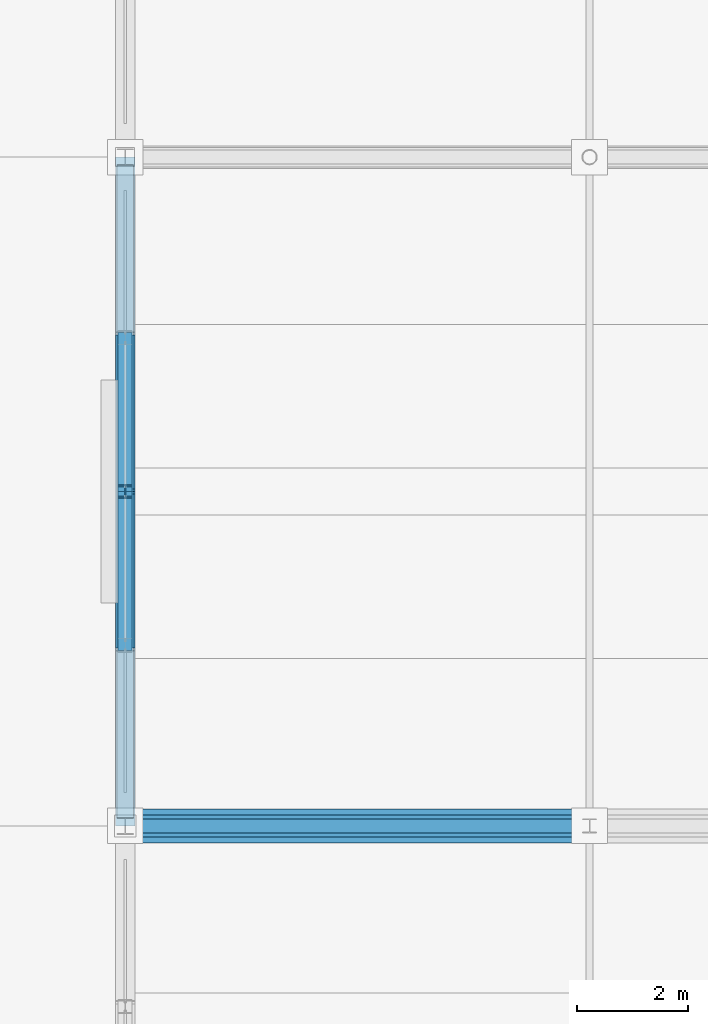
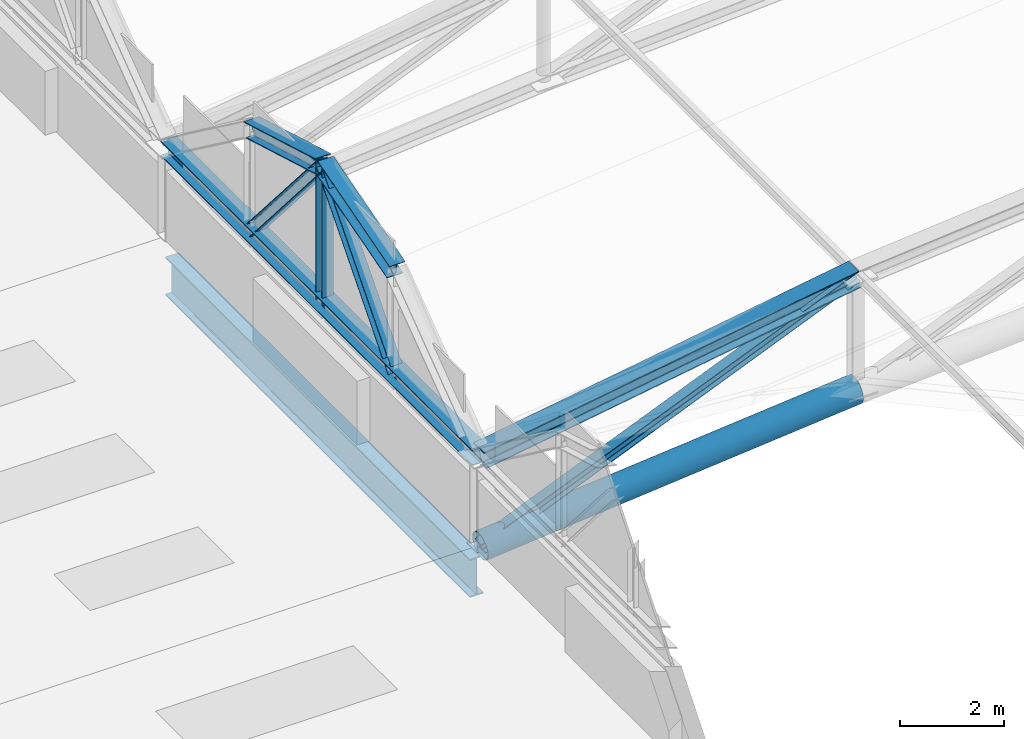
# One storey, part 29 of 117: 9 members, 1 beam.
"""IFC4 building model written with IfcOpenShell, lengths in metres."""

import ifcopenshell
import ifcopenshell.guid

model = None  # the IFC model being written
_history = None  # IfcOwnerHistory: only IFC2X3 demands one
_inside = {}  # id of a spatial element -> (the spatial element, [elements in it])
_under = {}  # id of a project, library or spatial element -> (it, [spatial elements below it])
_declared = {}  # id of a project -> (the project, [libraries it declares])
_typed = {}  # id of a type object -> (the type object, [elements of that type])
_made_of = {}  # id of a material, layer set ... -> (it, [elements and type objects made of it])


def new_model(schema):
    """Start an empty IFC model of exactly this schema.

    Asked for "IFC4X3", IfcOpenShell would pick the latest addendum, in which some entities
    have other attributes; the version numbers below select the first issue.
    IFC2X3 requires an IfcOwnerHistory on every rooted entity: one is made here for all.
    """
    global model, _history
    if schema == "IFC4X3":
        model = ifcopenshell.file(schema_version=(4, 3, 0, 0))
    else:
        model = ifcopenshell.file(schema=schema)
    _inside.clear()
    _under.clear()
    _declared.clear()
    _typed.clear()
    _made_of.clear()
    _history = None
    if model.schema == "IFC2X3":
        org = make("IfcOrganization", Name="unknown")
        user = make(
            "IfcPersonAndOrganization",
            ThePerson=make("IfcPerson", FamilyName="unknown"),
            TheOrganization=org,
        )
        app = make(
            "IfcApplication",
            ApplicationDeveloper=org,
            Version="unknown",
            ApplicationFullName="unknown",
            ApplicationIdentifier="unknown",
        )
        _history = make(
            "IfcOwnerHistory",
            OwningUser=user,
            OwningApplication=app,
            ChangeAction="ADDED",
            CreationDate=0,
        )
    return model


def make(cls, **values):
    """One entity of the class cls with the attributes given. An attribute that is None is left unset."""
    return model.create_entity(
        cls, **{name: value for name, value in values.items() if value is not None}
    )


def rooted(cls, **values):
    """An entity with a GlobalId (a new one), such as an element, a storey or a relation."""
    return make(cls, GlobalId=ifcopenshell.guid.new(), OwnerHistory=_history, **values)


def si_unit(unit_type, name, prefix=None):
    """IfcSIUnit, for example si_unit("LENGTHUNIT", "METRE", prefix="MILLI")."""
    return make("IfcSIUnit", UnitType=unit_type, Prefix=prefix, Name=name)


def assignment(units):
    """IfcUnitAssignment: the units of a project."""
    return None if units is None else make("IfcUnitAssignment", Units=units)


def point(xyz):
    """IfcCartesianPoint."""
    return None if xyz is None else make("IfcCartesianPoint", Coordinates=xyz)


def direction(xyz):
    """IfcDirection."""
    return None if xyz is None else make("IfcDirection", DirectionRatios=xyz)


def frame(location, z_axis=None, x_axis=None):
    """IfcAxis2Placement3D, a coordinate frame: its origin and axes. An axis left out is left unset."""
    return make(
        "IfcAxis2Placement3D",
        Location=point(location),
        Axis=direction(z_axis),
        RefDirection=direction(x_axis),
    )


def frame_2d(location, x_axis=None):
    """IfcAxis2Placement2D, a coordinate frame in the plane: its origin and x axis."""
    return make(
        "IfcAxis2Placement2D", Location=point(location), RefDirection=direction(x_axis)
    )


def origin():
    """The frame at (0, 0, 0) with its axes left unset."""
    return frame((0.0, 0.0, 0.0))


def origin_2d():
    """The frame at (0, 0) in the plane with its x axis left unset."""
    return frame_2d((0.0, 0.0))


def place(relative_to, where):
    """IfcLocalPlacement: puts the frame where relative to a parent placement (None: the world)."""
    return make(
        "IfcLocalPlacement", PlacementRelTo=relative_to, RelativePlacement=where
    )


def context(
    kind, dimensions, precision=None, world=None, true_north=None, identifier=None
):
    """IfcGeometricRepresentationContext, for example the 3D "Model" context."""
    return make(
        "IfcGeometricRepresentationContext",
        ContextIdentifier=identifier,
        ContextType=kind,
        CoordinateSpaceDimension=dimensions,
        Precision=precision,
        WorldCoordinateSystem=world,
        TrueNorth=true_north,
    )


def subcontext(parent, identifier, kind, view, scale=None):
    """IfcGeometricRepresentationSubContext, for example "Body" below "Model"."""
    return make(
        "IfcGeometricRepresentationSubContext",
        ContextIdentifier=identifier,
        ContextType=kind,
        ParentContext=parent,
        TargetScale=scale,
        TargetView=view,
    )


def project(units=None, contexts=None):
    """IfcProject with its units and contexts."""
    return rooted(
        "IfcProject",
        Name="project",
        RepresentationContexts=contexts,
        UnitsInContext=assignment(units),
    )


def spatial(cls, under=None, at=None, **own):
    """A site, building, storey or space (cls), placed at a placement, below another one or the project."""
    s = rooted(cls, ObjectPlacement=at, **own)
    if under is not None:
        _under.setdefault(under.id(), (under, []))[1].append(s)
    return s


def profile(cls, at=None, kind="AREA", **sizes):
    """A parametric profile (cls). Its sizes go by their IFC names, for example OverallWidth=200.0."""
    return make(cls, ProfileType=kind, Position=at, **sizes)


def hollow_circle(**sizes):
    """IfcCircleHollowProfileDef."""
    return profile("IfcCircleHollowProfileDef", **sizes)


def i_section(**sizes):
    """IfcIShapeProfileDef."""
    return profile("IfcIShapeProfileDef", **sizes)


def extrude(swept, where, along, depth):
    """IfcExtrudedAreaSolid: the profile swept, set in the frame where, extruded along a direction by depth."""
    return make(
        "IfcExtrudedAreaSolid",
        SweptArea=swept,
        Position=where,
        ExtrudedDirection=direction(along),
        Depth=depth,
    )


def shape(context_of_items, identifier, shape_type, items):
    """IfcShapeRepresentation: the items that make up one representation, for example the "Body"."""
    return make(
        "IfcShapeRepresentation",
        ContextOfItems=context_of_items,
        RepresentationIdentifier=identifier,
        RepresentationType=shape_type,
        Items=items,
    )


def material(Name=None, Category=None):
    """IfcMaterial."""
    return make("IfcMaterial", Name=Name, Category=Category)


def material_profile(
    of_material, cross_section, Name=None, Category=None, Priority=None
):
    """IfcMaterialProfile: a cross section and its material."""
    return make(
        "IfcMaterialProfile",
        Name=Name,
        Material=of_material,
        Profile=cross_section,
        Priority=Priority,
        Category=Category,
    )


def profile_set(profiles, Name=None, composite=None):
    """IfcMaterialProfileSet."""
    return make(
        "IfcMaterialProfileSet",
        Name=Name,
        MaterialProfiles=profiles,
        CompositeProfile=composite,
    )


def made_of(thing, what):
    """Note that an element or type object is made of a material, layer set ...; save() writes the relation."""
    if what is not None:
        _made_of.setdefault(what.id(), (what, []))[1].append(thing)
    return thing


def type_object(cls, material=None, **own):
    """A type object (cls), such as IfcWallType, which elements share."""
    return made_of(rooted(cls, **own), material)


def element(
    cls,
    number,
    at=None,
    inside=None,
    cuts=None,
    type_object=None,
    material=None,
    context=None,
    identifier="Body",
    shape_type=None,
    held_by="IfcProductDefinitionShape",
    body=None,
    shapes=None,
    **own,
):
    """One element of the class cls, such as IfcWall. Its Tag is "e" and its number.

    at: its placement. inside: the storey or other place that contains it. cuts: it is an
    opening in that element (IfcRelVoidsElement). A single representation is given by context,
    identifier, shape_type and body (its items); several are given by shapes. held_by: the class
    of the entity that holds the representations. save() writes the other relations.
    """
    e = rooted(cls, Tag="e%d" % number, ObjectPlacement=at, **own)
    if body is not None:
        shapes = [shape(context, identifier, shape_type, body)]
    if shapes is not None:
        e.Representation = make(held_by, Representations=shapes)
    if inside is not None:
        _inside.setdefault(inside.id(), (inside, []))[1].append(e)
    if cuts is not None:
        rooted(
            "IfcRelVoidsElement", RelatingBuildingElement=cuts, RelatedOpeningElement=e
        )
    if type_object is not None:
        _typed.setdefault(type_object.id(), (type_object, []))[1].append(e)
    return made_of(e, material)


def aggregate(whole, parts):
    """IfcRelAggregates: a whole, such as a stair, and the parts it consists of."""
    return rooted("IfcRelAggregates", RelatingObject=whole, RelatedObjects=parts)


def save(model, path):
    """Write the relations noted so far, then the file.

    IfcRelAggregates (storeys below a building ...), IfcRelContainedInSpatialStructure (elements
    in a storey), IfcRelDefinesByType, IfcRelAssociatesMaterial and IfcRelDeclares: one each for
    every whole, place, type object, material and project.
    """
    for whole, parts in _under.values():
        aggregate(whole, parts)
    for where, things in _inside.values():
        rooted(
            "IfcRelContainedInSpatialStructure",
            RelatedElements=things,
            RelatingStructure=where,
        )
    for kind, things in _typed.values():
        rooted("IfcRelDefinesByType", RelatedObjects=things, RelatingType=kind)
    for what, things in _made_of.values():
        rooted("IfcRelAssociatesMaterial", RelatedObjects=things, RelatingMaterial=what)
    for by, libraries in _declared.values():
        rooted("IfcRelDeclares", RelatingContext=by, RelatedDefinitions=libraries)
    model.write(path)


model = new_model("IFC4")

# Units and contexts
model_context = context("Model", 3, precision=1e-05, world=origin(), true_north=direction((0.0, 1.0)))
body_context = subcontext(model_context, "Body", "Model", "MODEL_VIEW")
ifc_project = project(units=[si_unit("LENGTHUNIT", "METRE"), si_unit("AREAUNIT", "SQUARE_METRE"), si_unit("VOLUMEUNIT", "CUBIC_METRE"), si_unit("PLANEANGLEUNIT", "RADIAN"), si_unit("MASSUNIT", "GRAM", prefix="KILO")], contexts=[model_context])

# Site, building, storey
site_placement = place(None, origin())
site = spatial("IfcSite", under=ifc_project, at=site_placement, CompositionType="ELEMENT")
building_placement = place(site_placement, origin())
building = spatial("IfcBuilding", under=site, at=building_placement, Name="Kazenohara Klinker Stadium", CompositionType="ELEMENT")
storey_placement = place(building_placement, frame((0.0, 0.0, 31.199951171875)))
storey = spatial("IfcBuildingStorey", under=building, at=storey_placement, Name="RF", CompositionType="ELEMENT", Elevation=31.199951171875)

# Members
ifc_material = material(Name="Steel S355", Category="steel")
ifc_material_profile_1 = material_profile(ifc_material, i_section(OverallWidth=0.25, OverallDepth=0.25, WebThickness=0.009033203125, FlangeThickness=0.013916015625, FilletRadius=0.012939453125, at=origin_2d()), Name="H-250x250x9x14")
ifc_profile_set_1 = profile_set([ifc_material_profile_1], Name="Steel S355")
member_type_1 = type_object("IfcMemberType", Name="MEM-BRC02", PredefinedType="BRACE", material=ifc_profile_set_1)
member_1_placement = place(storey_placement, frame((24.0, 84.0, -0.02001953125), z_axis=(0.923164118975, 0.0, 0.384406047608), x_axis=(0.0, 1.0, 0.0)))
element("IfcMember", 1, at=member_1_placement, inside=storey, type_object=member_type_1, Name="ROOF TRUSS RT-W04 web diagonal 1", PredefinedType="BRACE", context=body_context, shape_type="SweptSolid", body=[
    extrude(i_section(OverallWidth=0.25, OverallDepth=0.25, WebThickness=0.009033203125, FlangeThickness=0.013916015625, FilletRadius=0.012939453125, at=origin_2d()), origin(), (0.0, 0.0, 1.0), 9.02685546875),
])
ifc_material_profile_2 = material_profile(ifc_material, i_section(OverallWidth=0.39990234375, OverallDepth=0.39990234375, WebThickness=0.012939453125, FlangeThickness=0.02099609375, FilletRadius=0.02197265625, at=origin_2d()), Name="H-400x400x13x21")
ifc_profile_set_2 = profile_set([ifc_material_profile_2], Name="Steel S355")
member_type_2 = type_object("IfcMemberType", Name="MEM-CHD01", PredefinedType="CHORD", material=ifc_profile_set_2)
member_2_placement = place(storey_placement, frame((24.0, 84.0, 2.10009765625), z_axis=(0.987133250968, 0.0, 0.159899796227), x_axis=(0.0, 1.0, 0.0)))
element("IfcMember", 2, at=member_2_placement, inside=storey, type_object=member_type_2, Name="ROOF TRUSS RT-W04 top arched chord 1", PredefinedType="CHORD", context=body_context, shape_type="SweptSolid", body=[
    extrude(i_section(OverallWidth=0.39990234375, OverallDepth=0.39990234375, WebThickness=0.012939453125, FlangeThickness=0.02099609375, FilletRadius=0.02197265625, at=origin_2d()), origin(), (0.0, 0.0, 1.0), 8.44189453125),
])
ifc_material_profile_3 = material_profile(ifc_material, i_section(OverallWidth=0.35009765625, OverallDepth=0.35009765625, WebThickness=0.011962890625, FlangeThickness=0.01904296875, FilletRadius=0.012939453125, at=origin_2d()), Name="H-350x350x12x19")
ifc_profile_set_3 = profile_set([ifc_material_profile_3], Name="Steel S355")
member_type_3 = type_object("IfcMemberType", Name="MEM-CHD02", PredefinedType="CHORD", material=ifc_profile_set_3)
member_3_placement = place(storey_placement, frame((24.0, 84.0, 2.10009765625), z_axis=(0.0, 1.0, 0.0), x_axis=(-1.0, 0.0, 0.0)))
element("IfcMember", 3, at=member_3_placement, inside=storey, type_object=member_type_3, Name="Barrel arch tie chord TC02 W-04-N0", PredefinedType="CHORD", context=body_context, shape_type="SweptSolid", body=[
    extrude(i_section(OverallWidth=0.35009765625, OverallDepth=0.35009765625, WebThickness=0.011962890625, FlangeThickness=0.01904296875, FilletRadius=0.012939453125, at=origin_2d()), origin(), (0.0, 0.0, 1.0), 12.0),
])
for number, where, z_axis, x_axis, name in (
    (4, (24.0, 87.239990234375, 4.5), (0.0, 0.960462085918, 0.27841081429), (-1.0, 0.0, 0.0), "Barrel arch top rib TC02 W-04-N0-S2"),
    (5, (24.0, 90.0, 5.300048828125), (0.0, 0.960462085918, -0.27841081429), (-1.0, 0.0, 0.0), "Barrel arch top rib TC02 W-04-N0-S3"),
):
    element("IfcMember", number, at=place(storey_placement, frame(where, z_axis=z_axis, x_axis=x_axis)), inside=storey, type_object=member_type_3, Name=name, PredefinedType="CHORD", context=body_context, shape_type="SweptSolid", body=[
        extrude(i_section(OverallWidth=0.35009765625, OverallDepth=0.35009765625, WebThickness=0.011962890625, FlangeThickness=0.01904296875, FilletRadius=0.012939453125, at=origin_2d()), origin(), (0.0, 0.0, 1.0), 2.87353515625),
    ])
ifc_material_profile_4 = material_profile(ifc_material, hollow_circle(Radius=0.3046875, WallThickness=0.01611328125, at=origin_2d()), Name="CHS-609.6x16")
ifc_profile_set_4 = profile_set([ifc_material_profile_4], Name="Steel S355")
member_type_4 = type_object("IfcMemberType", Name="MEM-CHD05", PredefinedType="CHORD", material=ifc_profile_set_4)
member_4_placement = place(storey_placement, frame((24.0, 84.0, -0.02001953125), z_axis=(0.995757965817, 0.0, 0.092011268397), x_axis=(0.0, 1.0, 0.0)))
element("IfcMember", 6, at=member_4_placement, inside=storey, type_object=member_type_4, Name="ROOF TRUSS RT-W04 bottom arched chord 1", PredefinedType="CHORD", context=body_context, shape_type="SweptSolid", body=[
    extrude(hollow_circle(Radius=0.3046875, WallThickness=0.01611328125, at=origin_2d()), origin(), (0.0, 0.0, 1.0), 8.36865234375),
])
ifc_material_profile_5 = material_profile(ifc_material, i_section(OverallWidth=0.25, OverallDepth=0.25, WebThickness=0.009033203125, FlangeThickness=0.013916015625, FilletRadius=0.012939453125, at=origin_2d()), Name="H-250x250x9x14")
ifc_profile_set_5 = profile_set([ifc_material_profile_5], Name="Steel S355")
member_type_5 = type_object("IfcMemberType", Name="MEM-STR02", PredefinedType="STRUT", material=ifc_profile_set_5)
member_5_placement = place(storey_placement, frame((24.0, 90.0, 2.10009765625), z_axis=(0.0, 0.0, 1.0), x_axis=(1.0, 0.0, 0.0)))
element("IfcMember", 7, at=member_5_placement, inside=storey, type_object=member_type_5, Name="Barrel arch web post TS02 W-04-N0-P2", PredefinedType="STRUT", context=body_context, shape_type="SweptSolid", body=[
    extrude(i_section(OverallWidth=0.25, OverallDepth=0.25, WebThickness=0.009033203125, FlangeThickness=0.013916015625, FilletRadius=0.012939453125, at=origin_2d()), origin(), (0.0, 0.0, 1.0), 3.199951171875),
])
for number, where, z_axis, x_axis, name in (
    (8, (24.0, 87.239990234375, 2.10009765625), (0.0, 0.653133887971, 0.757242447558), (-1.0, 0.0, 0.0), "Barrel arch web diagonal TS02 W-04-N0-D1"),
    (9, (24.0, 92.760009765625, 2.10009765625), (0.0, -0.653133887971, 0.757242447558), (1.0, 0.0, 0.0), "Barrel arch web diagonal TS02 W-04-N0-D2"),
):
    element("IfcMember", number, at=place(storey_placement, frame(where, z_axis=z_axis, x_axis=x_axis)), inside=storey, type_object=member_type_5, Name=name, PredefinedType="STRUT", context=body_context, shape_type="SweptSolid", body=[
        extrude(i_section(OverallWidth=0.25, OverallDepth=0.25, WebThickness=0.009033203125, FlangeThickness=0.013916015625, FilletRadius=0.012939453125, at=origin_2d()), origin(), (0.0, 0.0, 1.0), 4.225830078125),
    ])

# Beam
ifc_material_profile_6 = material_profile(ifc_material, i_section(OverallWidth=0.300048828125, OverallDepth=0.89990234375, WebThickness=0.01611328125, FlangeThickness=0.028076171875, FilletRadius=0.02197265625, at=origin_2d()), Name="H-900x300x16x28")
ifc_profile_set_6 = profile_set([ifc_material_profile_6], Name="Steel S355")
beam_type = type_object("IfcBeamType", Name="RING-RB01", PredefinedType="USERDEFINED", material=ifc_profile_set_6)
beam_placement = place(storey_placement, frame((24.0, 84.139892578125, -0.820068359375), z_axis=(0.0, 1.0, 0.0), x_axis=(-1.0, 0.0, 0.0)))
element("IfcBeam", 10, at=beam_placement, inside=storey, type_object=beam_type, Name="Roof ring beam RB01 W-OUT H-J", ObjectType="RING BEAM", PredefinedType="USERDEFINED", context=body_context, shape_type="SweptSolid", body=[
    extrude(i_section(OverallWidth=0.300048828125, OverallDepth=0.89990234375, WebThickness=0.01611328125, FlangeThickness=0.028076171875, FilletRadius=0.02197265625, at=origin_2d()), origin(), (0.0, 0.0, 1.0), 11.72021484375),
])

save(model, "model.ifc")
